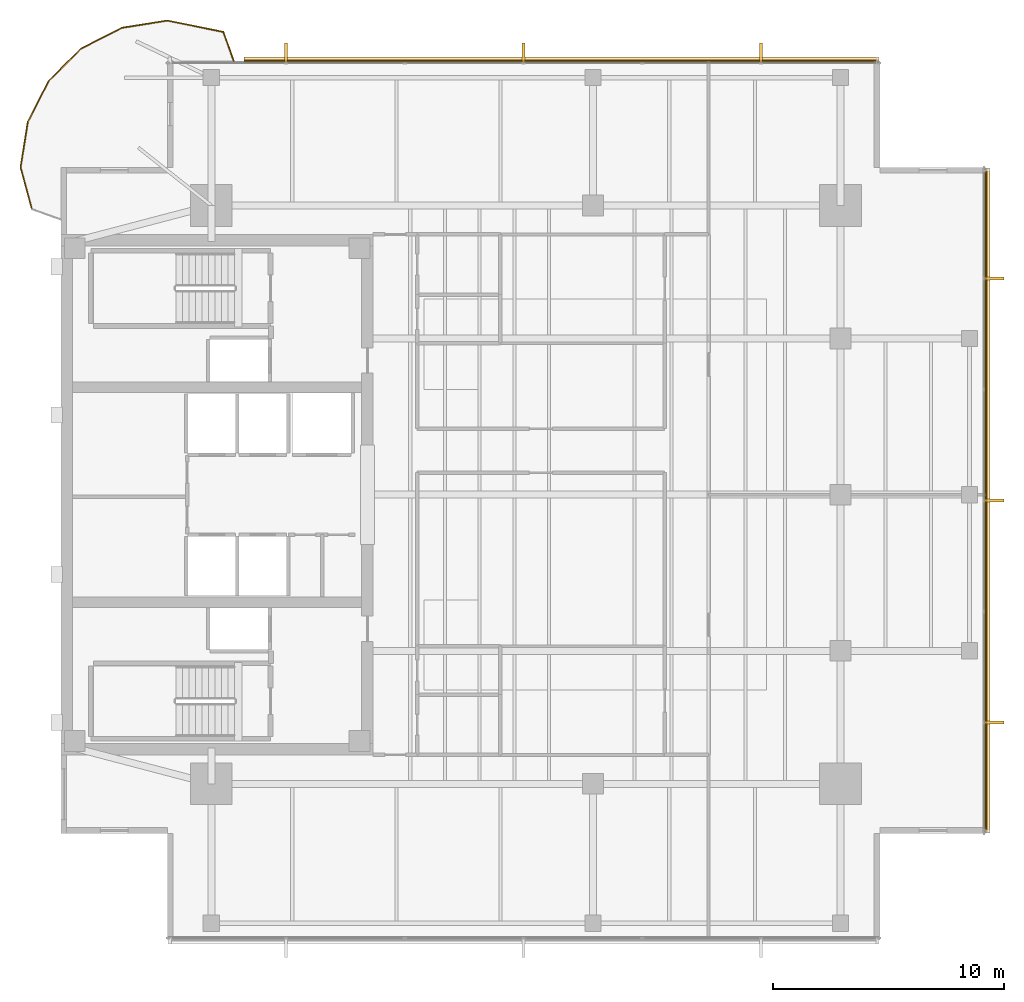
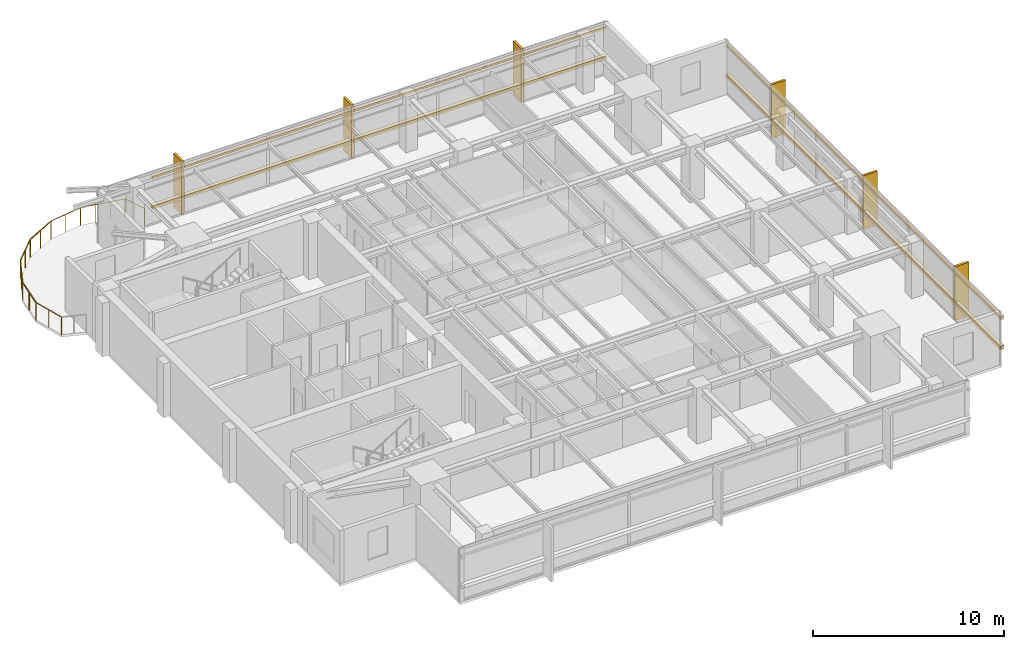
# One storey, part 14 of 14: 10 coverings, 8 railings, 4 shading devices.
"""IFC4 building model written with IfcOpenShell, lengths in metres."""

from ifc_helpers import new_model, si_unit, direction, frame, origin, origin_2d, place, context, subcontext, project, spatial, polyline, rectangle, circle, outline, extrude, material, layer, layer_set, material_profile, profile_set, type_object, element, save


model = new_model("IFC4")

# Units and contexts
model_context = context("Model", 3, precision=1e-05, world=origin(), true_north=direction((0.0, 1.0)))
body_context = subcontext(model_context, "Body", "Model", "MODEL_VIEW")
ifc_project = project(units=[si_unit("LENGTHUNIT", "METRE"), si_unit("AREAUNIT", "SQUARE_METRE"), si_unit("VOLUMEUNIT", "CUBIC_METRE"), si_unit("PLANEANGLEUNIT", "RADIAN"), si_unit("MASSUNIT", "GRAM", prefix="KILO")], contexts=[model_context])

# Site, building, storey
site_placement = place(None, origin())
site = spatial("IfcSite", under=ifc_project, at=site_placement, CompositionType="ELEMENT")
building_placement = place(site_placement, origin())
building = spatial("IfcBuilding", under=site, at=building_placement, Name="Kinhvarn Gate Tower", CompositionType="ELEMENT")
storey_placement = place(building_placement, frame((0.0, 0.0, 267.0)))
storey = spatial("IfcBuildingStorey", under=building, at=storey_placement, Name="L71", CompositionType="ELEMENT", Elevation=267.0)

# Coverings
ifc_material_1 = material(Name="Fired architectural terracotta", Category="masonry")
ifc_layer_1 = layer(ifc_material_1, 0.239990234375)
ifc_layer_set_1 = layer_set([ifc_layer_1], Name="Fired architectural terracotta")
covering_type_1 = type_object("IfcCoveringType", Name="COV-BAG-220", PredefinedType="CLADDING", material=ifc_layer_set_1)
for number, where, name in (
    (1, (0.0, 0.0, 0.93994140625), "Terracotta Horizontal Sunscreen Band TBG-220 (L71)"),
    (2, (0.0, 0.0, 2.830078125), "Terracotta Horizontal Sunscreen Band TBG-220 (L71)"),
):
    element("IfcCovering", number, at=place(storey_placement, frame(where)), inside=storey, type_object=covering_type_1, Name=name, PredefinedType="CLADDING", context=body_context, shape_type="SweptSolid", body=[
        extrude(outline(polyline([(39.860107421875, 43.929931640625), (12.419921875, 43.929931640625), (12.419921875, 44.169921875), (39.860107421875, 44.169921875), (39.860107421875, 43.929931640625)])), origin(), (0.0, 0.0, 1.0), 0.219970703125),
    ])
for number, where, name in (
    (3, (0.0, 0.0, 0.93994140625), "Terracotta Horizontal Sunscreen Band TBG-220 (L71)"),
    (4, (0.0, 0.0, 2.830078125), "Terracotta Horizontal Sunscreen Band TBG-220 (L71)"),
):
    element("IfcCovering", number, at=place(storey_placement, frame(where)), inside=storey, type_object=covering_type_1, Name=name, PredefinedType="CLADDING", context=body_context, shape_type="SweptSolid", body=[
        extrude(outline(polyline([(44.429931640625, 10.639892578125), (44.429931640625, 39.360107421875), (44.669921875, 39.360107421875), (44.669921875, 10.639892578125), (44.429931640625, 10.639892578125)])), origin(), (0.0, 0.0, 1.0), 0.219970703125),
    ])
ifc_layer_2 = layer(ifc_material_1, 0.139892578125)
ifc_layer_set_2 = layer_set([ifc_layer_2], Name="Fired architectural terracotta")
covering_type_2 = type_object("IfcCoveringType", Name="COV-FIN-850", PredefinedType="CLADDING", material=ifc_layer_set_2)
covering_1_placement = place(storey_placement, frame((0.0, 0.0, -0.02001953125)))
element("IfcCovering", 5, at=covering_1_placement, inside=storey, type_object=covering_type_2, Name="Vertical Terracotta Expressive Fin TFN-850 (L71)", PredefinedType="CLADDING", context=body_context, shape_type="SweptSolid", body=[
    extrude(outline(polyline([(34.836669921875, 43.919921875), (34.69677734375, 43.919921875), (34.69677734375, 44.77001953125), (34.836669921875, 44.77001953125), (34.836669921875, 43.919921875)])), origin(), (0.0, 0.0, 1.0), 3.429931640625),
])
covering_2_placement = place(storey_placement, frame((0.0, 0.0, -0.02001953125)))
element("IfcCovering", 6, at=covering_2_placement, inside=storey, type_object=covering_type_2, Name="Vertical Terracotta Expressive Fin TFN-850 (L71)", PredefinedType="CLADDING", context=body_context, shape_type="SweptSolid", body=[
    extrude(outline(polyline([(24.570068359375, 43.919921875), (24.429931640625, 43.919921875), (24.429931640625, 44.77001953125), (24.570068359375, 44.77001953125), (24.570068359375, 43.919921875)])), origin(), (0.0, 0.0, 1.0), 3.429931640625),
])
covering_3_placement = place(storey_placement, frame((0.0, 0.0, -0.02001953125)))
element("IfcCovering", 7, at=covering_3_placement, inside=storey, type_object=covering_type_2, Name="Vertical Terracotta Expressive Fin TFN-850 (L71)", PredefinedType="CLADDING", context=body_context, shape_type="SweptSolid", body=[
    extrude(outline(polyline([(14.30322265625, 43.919921875), (14.163330078125, 43.919921875), (14.163330078125, 44.77001953125), (14.30322265625, 44.77001953125), (14.30322265625, 43.919921875)])), origin(), (0.0, 0.0, 1.0), 3.429931640625),
])
covering_4_placement = place(storey_placement, frame((0.0, 0.0, -0.02001953125)))
element("IfcCovering", 8, at=covering_4_placement, inside=storey, type_object=covering_type_2, Name="Vertical Terracotta Expressive Fin TFN-850 (L71)", PredefinedType="CLADDING", context=body_context, shape_type="SweptSolid", body=[
    extrude(outline(polyline([(44.419921875, 15.330078125), (44.419921875, 15.469970703125), (45.27001953125, 15.469970703125), (45.27001953125, 15.330078125), (44.419921875, 15.330078125)])), origin(), (0.0, 0.0, 1.0), 3.429931640625),
])
covering_5_placement = place(storey_placement, frame((0.0, 0.0, -0.02001953125)))
element("IfcCovering", 9, at=covering_5_placement, inside=storey, type_object=covering_type_2, Name="Vertical Terracotta Expressive Fin TFN-850 (L71)", PredefinedType="CLADDING", context=body_context, shape_type="SweptSolid", body=[
    extrude(outline(polyline([(44.419921875, 24.929931640625), (44.419921875, 25.070068359375), (45.27001953125, 25.070068359375), (45.27001953125, 24.929931640625), (44.419921875, 24.929931640625)])), origin(), (0.0, 0.0, 1.0), 3.429931640625),
])
covering_6_placement = place(storey_placement, frame((0.0, 0.0, -0.02001953125)))
element("IfcCovering", 10, at=covering_6_placement, inside=storey, type_object=covering_type_2, Name="Vertical Terracotta Expressive Fin TFN-850 (L71)", PredefinedType="CLADDING", context=body_context, shape_type="SweptSolid", body=[
    extrude(outline(polyline([(44.419921875, 34.530029296875), (44.419921875, 34.669921875), (45.27001953125, 34.669921875), (45.27001953125, 34.530029296875), (44.419921875, 34.530029296875)])), origin(), (0.0, 0.0, 1.0), 3.429931640625),
])

# Railings
ifc_material_2 = material(Name="Clear low-e double glazing", Category="glass")
railing_type = type_object("IfcRailingType", Name="RL-BAL-1150", PredefinedType="BALUSTRADE", material=ifc_material_2)
railing_1_placement = place(storey_placement, frame((11.969970703125, 44.0, 0.0)))
element("IfcRailing", 11, at=railing_1_placement, inside=storey, type_object=railing_type, Name="S-Carve Balcony Guardrail Seg 1 (L71)", PredefinedType="BALUSTRADE", context=body_context, shape_type="SweptSolid", body=[
    extrude(circle(Radius=0.02392578125, at=origin_2d()), frame((0.0, 0.0, 1.1259765625), z_axis=(-0.336822603656, 0.941568124815, 0.0), x_axis=(-0.941568124815, -0.336822603656, 0.0)), (0.0, 0.0, 1.0), 1.3359375),
    extrude(circle(Radius=0.02099609375, at=origin_2d()), origin(), (0.0, 0.0, 1.0), 1.101806640625),
    extrude(circle(Radius=0.02099609375, at=origin_2d()), frame((-0.22509765625, 0.62890625, 0.0)), (0.0, 0.0, 1.0), 1.101806640625),
    extrude(circle(Radius=0.02099609375, at=origin_2d()), frame((-0.449951171875, 1.2578125, 0.0)), (0.0, 0.0, 1.0), 1.101806640625),
])
railing_2_placement = place(storey_placement, frame((11.52001953125, 45.2578125, 0.0)))
element("IfcRailing", 12, at=railing_2_placement, inside=storey, type_object=railing_type, Name="S-Carve Balcony Guardrail Seg 2 (L71)", PredefinedType="BALUSTRADE", context=body_context, shape_type="SweptSolid", body=[
    extrude(circle(Radius=0.02392578125, at=origin_2d()), frame((0.0, 0.0, 1.1259765625), z_axis=(-0.980167763551, 0.198169511517, 0.0), x_axis=(-0.198169511517, -0.980167763551, 0.0)), (0.0, 0.0, 1.0), 2.468994140625),
    extrude(circle(Radius=0.02099609375, at=origin_2d()), origin(), (0.0, 0.0, 1.0), 1.101806640625),
    extrude(circle(Radius=0.02099609375, at=origin_2d()), frame((-0.806640625, 0.1630859375, 0.0)), (0.0, 0.0, 1.0), 1.101806640625),
    extrude(circle(Radius=0.02099609375, at=origin_2d()), frame((-1.61328125, 0.326171875, 0.0)), (0.0, 0.0, 1.0), 1.101806640625),
    extrude(circle(Radius=0.02099609375, at=origin_2d()), frame((-2.419921875, 0.4892578125, 0.0)), (0.0, 0.0, 1.0), 1.101806640625),
])
railing_3_placement = place(storey_placement, frame((9.10009765625, 45.7470703125, 0.0)))
element("IfcRailing", 13, at=railing_3_placement, inside=storey, type_object=railing_type, Name="S-Carve Balcony Guardrail Seg 3 (L71)", PredefinedType="BALUSTRADE", context=body_context, shape_type="SweptSolid", body=[
    extrude(circle(Radius=0.02392578125, at=origin_2d()), frame((0.0, 0.0, 1.1259765625), z_axis=(-0.98767809253, -0.156499155065, 0.0), x_axis=(0.156499155065, -0.98767809253, 0.0)), (0.0, 0.0, 1.0), 1.98583984375),
    extrude(circle(Radius=0.02099609375, at=origin_2d()), origin(), (0.0, 0.0, 1.0), 1.101806640625),
    extrude(circle(Radius=0.02099609375, at=origin_2d()), frame((-0.980712890625, -0.1552734375, 0.0)), (0.0, 0.0, 1.0), 1.101806640625),
    extrude(circle(Radius=0.02099609375, at=origin_2d()), frame((-1.96142578125, -0.310791015625, 0.0)), (0.0, 0.0, 1.0), 1.101806640625),
])
railing_4_placement = place(storey_placement, frame((7.138671875, 45.436279296875, 0.0)))
element("IfcRailing", 14, at=railing_4_placement, inside=storey, type_object=railing_type, Name="S-Carve Balcony Guardrail Seg 4 (L71)", PredefinedType="BALUSTRADE", context=body_context, shape_type="SweptSolid", body=[
    extrude(circle(Radius=0.02392578125, at=origin_2d()), frame((0.0, 0.0, 1.1259765625), z_axis=(-0.89103292867, -0.4539386743, 0.0), x_axis=(0.4539386743, -0.89103292867, 0.0)), (0.0, 0.0, 1.0), 1.985595703125),
    extrude(circle(Radius=0.02099609375, at=origin_2d()), origin(), (0.0, 0.0, 1.0), 1.101806640625),
    extrude(circle(Radius=0.02099609375, at=origin_2d()), frame((-0.884765625, -0.45068359375, 0.0)), (0.0, 0.0, 1.0), 1.101806640625),
    extrude(circle(Radius=0.02099609375, at=origin_2d()), frame((-1.769287109375, -0.9013671875, 0.0)), (0.0, 0.0, 1.0), 1.101806640625),
])
railing_5_placement = place(storey_placement, frame((5.369384765625, 44.534912109375, 0.0)))
element("IfcRailing", 15, at=railing_5_placement, inside=storey, type_object=railing_type, Name="S-Carve Balcony Guardrail Seg 5 (L71)", PredefinedType="BALUSTRADE", context=body_context, shape_type="SweptSolid", body=[
    extrude(circle(Radius=0.02392578125, at=origin_2d()), frame((0.0, 0.0, 1.1259765625), z_axis=(-0.707106781187, -0.707106781187, 0.0), x_axis=(0.707106781187, -0.707106781187, 0.0)), (0.0, 0.0, 1.0), 1.986083984375),
    extrude(circle(Radius=0.02099609375, at=origin_2d()), origin(), (0.0, 0.0, 1.0), 1.101806640625),
    extrude(circle(Radius=0.02099609375, at=origin_2d()), frame((-0.7021484375, -0.7021484375, 0.0)), (0.0, 0.0, 1.0), 1.101806640625),
    extrude(circle(Radius=0.02099609375, at=origin_2d()), frame((-1.404296875, -1.404296875, 0.0)), (0.0, 0.0, 1.0), 1.101806640625),
])
railing_6_placement = place(storey_placement, frame((3.965087890625, 43.130615234375, 0.0)))
element("IfcRailing", 16, at=railing_6_placement, inside=storey, type_object=railing_type, Name="S-Carve Balcony Guardrail Seg 6 (L71)", PredefinedType="BALUSTRADE", context=body_context, shape_type="SweptSolid", body=[
    extrude(circle(Radius=0.02392578125, at=origin_2d()), frame((0.0, 0.0, 1.1259765625), z_axis=(-0.4539386743, -0.89103292867, 0.0), x_axis=(0.89103292867, -0.4539386743, 0.0)), (0.0, 0.0, 1.0), 1.985595703125),
    extrude(circle(Radius=0.02099609375, at=origin_2d()), origin(), (0.0, 0.0, 1.0), 1.101806640625),
    extrude(circle(Radius=0.02099609375, at=origin_2d()), frame((-0.45068359375, -0.884765625, 0.0)), (0.0, 0.0, 1.0), 1.101806640625),
    extrude(circle(Radius=0.02099609375, at=origin_2d()), frame((-0.9013671875, -1.769287109375, 0.0)), (0.0, 0.0, 1.0), 1.101806640625),
])
railing_7_placement = place(storey_placement, frame((3.063720703125, 41.361328125, 0.0)))
element("IfcRailing", 17, at=railing_7_placement, inside=storey, type_object=railing_type, Name="S-Carve Balcony Guardrail Seg 7 (L71)", PredefinedType="BALUSTRADE", context=body_context, shape_type="SweptSolid", body=[
    extrude(circle(Radius=0.02392578125, at=origin_2d()), frame((0.0, 0.0, 1.1259765625), z_axis=(-0.156499155065, -0.98767809253, 0.0), x_axis=(0.98767809253, -0.156499155065, 0.0)), (0.0, 0.0, 1.0), 1.98583984375),
    extrude(circle(Radius=0.02099609375, at=origin_2d()), origin(), (0.0, 0.0, 1.0), 1.101806640625),
    extrude(circle(Radius=0.02099609375, at=origin_2d()), frame((-0.1552734375, -0.980712890625, 0.0)), (0.0, 0.0, 1.0), 1.101806640625),
    extrude(circle(Radius=0.02099609375, at=origin_2d()), frame((-0.310791015625, -1.96142578125, 0.0)), (0.0, 0.0, 1.0), 1.101806640625),
])
railing_8_placement = place(storey_placement, frame((2.7529296875, 39.39990234375, 0.0)))
element("IfcRailing", 18, at=railing_8_placement, inside=storey, type_object=railing_type, Name="S-Carve Balcony Guardrail Seg 8 (L71)", PredefinedType="BALUSTRADE", context=body_context, shape_type="SweptSolid", body=[
    extrude(circle(Radius=0.02392578125, at=origin_2d()), frame((0.0, 0.0, 1.1259765625), z_axis=(0.260673126572, -0.965427118473, 0.0), x_axis=(0.965427118473, 0.260673126572, 0.0)), (0.0, 0.0, 1.0), 1.876953125),
    extrude(circle(Radius=0.02099609375, at=origin_2d()), origin(), (0.0, 0.0, 1.0), 1.101806640625),
    extrude(circle(Radius=0.02099609375, at=origin_2d()), frame((0.24462890625, -0.906005859375, 0.0)), (0.0, 0.0, 1.0), 1.101806640625),
    extrude(circle(Radius=0.02099609375, at=origin_2d()), frame((0.4892578125, -1.81201171875, 0.0)), (0.0, 0.0, 1.0), 1.101806640625),
])

# Shading devices
ifc_material_profile = material_profile(ifc_material_1, rectangle(XDim=0.050048828125, YDim=0.1201171875, at=origin_2d()), Name="TC 50x120")
ifc_profile_set = profile_set([ifc_material_profile], Name="Fired architectural terracotta")
shading_device_type = type_object("IfcShadingDeviceType", Name="SHD-BAG-140", PredefinedType="USERDEFINED", material=ifc_profile_set)
for number, where, z_axis, x_axis, name in (
    (19, (39.860107421875, 44.0, 1.050048828125), (-1.0, 0.0, 0.0), (0.0, -1.0, 0.0), "Upper Tower Terracotta Baguette Screen Rod 50x120 mm (L71)"),
    (20, (39.860107421875, 44.0, 2.93994140625), (-1.0, 0.0, 0.0), (0.0, -1.0, 0.0), "Upper Tower Terracotta Baguette Screen Rod 50x120 mm (L71)"),
):
    element("IfcShadingDevice", number, at=place(storey_placement, frame(where, z_axis=z_axis, x_axis=x_axis)), inside=storey, type_object=shading_device_type, Name=name, ObjectType="BAGUETTE", PredefinedType="USERDEFINED", context=body_context, shape_type="SweptSolid", body=[
        extrude(rectangle(XDim=0.050048828125, YDim=0.1201171875, at=origin_2d()), origin(), (0.0, 0.0, 1.0), 27.440185546875),
    ])
for number, where, z_axis, x_axis, name in (
    (21, (44.5, 10.639892578125, 1.050048828125), (0.0, 1.0, 0.0), (-1.0, 0.0, 0.0), "Upper Tower Terracotta Baguette Screen Rod 50x120 mm (L71)"),
    (22, (44.5, 10.639892578125, 2.93994140625), (0.0, 1.0, 0.0), (-1.0, 0.0, 0.0), "Upper Tower Terracotta Baguette Screen Rod 50x120 mm (L71)"),
):
    element("IfcShadingDevice", number, at=place(storey_placement, frame(where, z_axis=z_axis, x_axis=x_axis)), inside=storey, type_object=shading_device_type, Name=name, ObjectType="BAGUETTE", PredefinedType="USERDEFINED", context=body_context, shape_type="SweptSolid", body=[
        extrude(rectangle(XDim=0.050048828125, YDim=0.1201171875, at=origin_2d()), origin(), (0.0, 0.0, 1.0), 28.72021484375),
    ])

save(model, "model.ifc")
